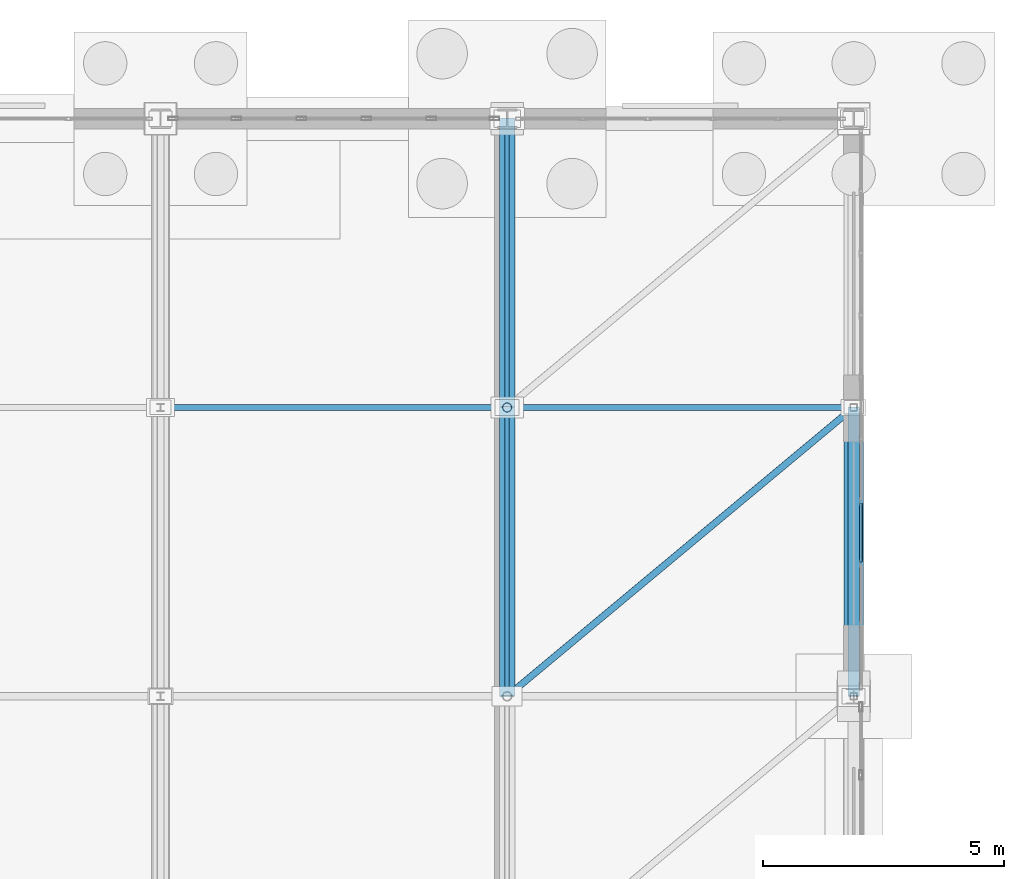
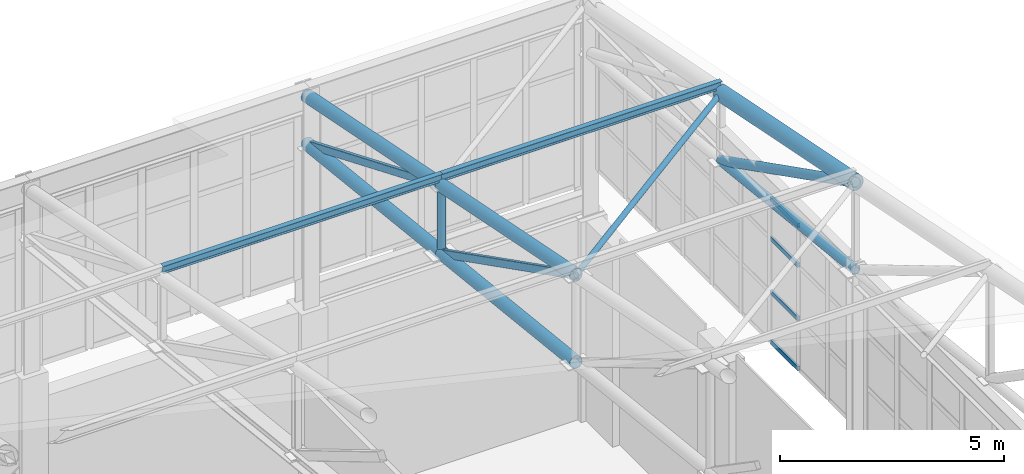
# One storey, part 227 of 293: 17 members, 1 element without a shape of its own.
"""IFC4 building model written with IfcOpenShell, lengths in metres."""

from ifc_helpers import new_model, si_unit, direction, frame, origin, origin_2d, place, context, subcontext, project, spatial, hollow_rectangle, hollow_circle, i_section, extrude, material, layer, layer_set, material_profile, profile_set, type_object, element, aggregate, save


model = new_model("IFC4")

# Units and contexts
model_context = context("Model", 3, precision=1e-05, world=origin(), true_north=direction((0.0, 1.0)))
body_context = subcontext(model_context, "Body", "Model", "MODEL_VIEW")
ifc_project = project(units=[si_unit("LENGTHUNIT", "METRE"), si_unit("AREAUNIT", "SQUARE_METRE"), si_unit("VOLUMEUNIT", "CUBIC_METRE"), si_unit("PLANEANGLEUNIT", "RADIAN"), si_unit("MASSUNIT", "GRAM", prefix="KILO")], contexts=[model_context])

# Site, building, storey
site_placement = place(None, origin())
site = spatial("IfcSite", under=ifc_project, at=site_placement, CompositionType="ELEMENT")
building_placement = place(site_placement, origin())
building = spatial("IfcBuilding", under=site, at=building_placement, Name="Kemerveld Promenade Tramway Depot", CompositionType="ELEMENT")
storey_placement = place(building_placement, origin())
storey = spatial("IfcBuildingStorey", under=building, at=storey_placement, Name="L00", CompositionType="ELEMENT", Elevation=0.0)

# Curtain wall, members
ifc_material_1 = material(Name="Bronze anodised aluminium and solar glass", Category="aluminium")
ifc_layer = layer(ifc_material_1, 0.159912109375)
ifc_layer_set = layer_set([ifc_layer], Name="CW-SYS-01")
curtain_wall_type = type_object("IfcCurtainWallType", Name="CW-SYS-01", PredefinedType="USERDEFINED", material=ifc_layer_set)
curtain_wall_placement = place(storey_placement, origin())
curtain_wall = element("IfcCurtainWall", 1, at=curtain_wall_placement, inside=storey, type_object=curtain_wall_type, Name="CW-V1-E-05", ObjectType="GLAZED_CURTAIN_WALL", PredefinedType="USERDEFINED")
ifc_material_2 = material(Name="Bronze anodised aluminium", Category="aluminium")
ifc_material_profile_1 = material_profile(ifc_material_2, hollow_rectangle(XDim=0.06005859375, YDim=0.1201171875, WallThickness=0.00390625, InnerFilletRadius=0.001953125, OuterFilletRadius=0.00390625, at=origin_2d()), Name="CW-TRN-120x60")
ifc_profile_set_1 = profile_set([ifc_material_profile_1], Name="Bronze anodised aluminium")
member_type_1 = type_object("IfcMemberType", Name="CW-TRN-A", PredefinedType="USERDEFINED", material=ifc_profile_set_1)
member_1_placement = place(storey_placement, frame((187.35009765625, 136.015380859375, 6.679931640625), z_axis=(0.0, -1.0, 0.0), x_axis=(1.0, 0.0, 0.0)))
member_1 = element("IfcMember", 2, at=member_1_placement, type_object=member_type_1, Name="CW01 transom 7.1", ObjectType="TRANSOM", PredefinedType="USERDEFINED", context=body_context, shape_type="SweptSolid", body=[
    extrude(hollow_rectangle(XDim=0.06005859375, YDim=0.1201171875, WallThickness=0.00390625, InnerFilletRadius=0.001953125, OuterFilletRadius=0.00390625, at=origin_2d()), origin(), (0.0, 0.0, 1.0), 1.22314453125),
])
member_2_placement = place(storey_placement, frame((187.35009765625, 136.015380859375, 8.032958984375), z_axis=(0.0, -1.0, 0.0), x_axis=(1.0, 0.0, 0.0)))
member_2 = element("IfcMember", 3, at=member_2_placement, type_object=member_type_1, Name="CW01 transom 7.2", ObjectType="TRANSOM", PredefinedType="USERDEFINED", context=body_context, shape_type="SweptSolid", body=[
    extrude(hollow_rectangle(XDim=0.06005859375, YDim=0.1201171875, WallThickness=0.00390625, InnerFilletRadius=0.001953125, OuterFilletRadius=0.00390625, at=origin_2d()), origin(), (0.0, 0.0, 1.0), 1.22314453125),
])
member_3_placement = place(storey_placement, frame((187.35009765625, 136.015380859375, 9.493896484375), z_axis=(0.0, -1.0, 0.0), x_axis=(1.0, 0.0, 0.0)))
member_3 = element("IfcMember", 4, at=member_3_placement, type_object=member_type_1, Name="CW01 transom 7.3", ObjectType="TRANSOM", PredefinedType="USERDEFINED", context=body_context, shape_type="SweptSolid", body=[
    extrude(hollow_rectangle(XDim=0.06005859375, YDim=0.1201171875, WallThickness=0.00390625, InnerFilletRadius=0.001953125, OuterFilletRadius=0.00390625, at=origin_2d()), origin(), (0.0, 0.0, 1.0), 1.22314453125),
])
member_4_placement = place(storey_placement, frame((187.35009765625, 136.015380859375, 10.570068359375), z_axis=(0.0, -1.0, 0.0), x_axis=(1.0, 0.0, 0.0)))
member_4 = element("IfcMember", 5, at=member_4_placement, type_object=member_type_1, Name="CW01 transom 7.4", ObjectType="TRANSOM", PredefinedType="USERDEFINED", context=body_context, shape_type="SweptSolid", body=[
    extrude(hollow_rectangle(XDim=0.06005859375, YDim=0.1201171875, WallThickness=0.00390625, InnerFilletRadius=0.001953125, OuterFilletRadius=0.00390625, at=origin_2d()), origin(), (0.0, 0.0, 1.0), 1.22314453125),
])
aggregate(curtain_wall, [member_1, member_2, member_3, member_4])

# Members
ifc_material_3 = material(Name="Steel S355", Category="steel")
ifc_material_profile_2 = material_profile(ifc_material_3, hollow_rectangle(XDim=0.10009765625, YDim=0.199951171875, WallThickness=0.008056640625, InnerFilletRadius=0.00390625, OuterFilletRadius=0.011962890625, at=origin_2d()), Name="200x100x8.0 RHS")
ifc_profile_set_2 = profile_set([ifc_material_profile_2], Name="Steel S355")
member_type_2 = type_object("IfcMemberType", Name="MB-M03", PredefinedType="BRACE", material=ifc_profile_set_2)
member_5_placement = place(storey_placement, frame((180.0, 138.0, 10.4599609375), z_axis=(0.0, -0.892033434612, 0.451969414379), x_axis=(1.0, 0.0, 0.0)))
element("IfcMember", 6, at=member_5_placement, inside=storey, type_object=member_type_2, Name="TR-26-DG-09", PredefinedType="BRACE", context=body_context, shape_type="SweptSolid", body=[
    extrude(hollow_rectangle(XDim=0.10009765625, YDim=0.199951171875, WallThickness=0.008056640625, InnerFilletRadius=0.00390625, OuterFilletRadius=0.011962890625, at=origin_2d()), origin(), (0.0, 0.0, 1.0), 6.726318359375),
])
member_6_placement = place(storey_placement, frame((180.0, 144.0, 9.800048828125), z_axis=(0.0, -0.923076923077, 0.384615384615), x_axis=(1.0, 0.0, 0.0)))
element("IfcMember", 7, at=member_6_placement, inside=storey, type_object=member_type_2, Name="TR-26-DG-10", PredefinedType="BRACE", context=body_context, shape_type="SweptSolid", body=[
    extrude(hollow_rectangle(XDim=0.10009765625, YDim=0.199951171875, WallThickness=0.008056640625, InnerFilletRadius=0.00390625, OuterFilletRadius=0.011962890625, at=origin_2d()), origin(), (0.0, 0.0, 1.0), 6.5),
])
ifc_material_profile_3 = material_profile(ifc_material_3, i_section(OverallWidth=0.13330078125, OverallDepth=0.203125, WebThickness=0.005615234375, FlangeThickness=0.0078125, FilletRadius=0.007568359375, at=origin_2d()), Name="203x133x25 UB")
ifc_profile_set_3 = profile_set([ifc_material_profile_3], Name="Steel S355")
member_type_3 = type_object("IfcMemberType", Name="MB-PR4", PredefinedType="PURLIN", material=ifc_profile_set_3)
for number, where, z_axis, x_axis, name in (
    (8, (172.800048828125, 138.0, 12.544921875), (1.0, 0.0, 0.0), (0.0, 1.0, 0.0), "PUR-V1-09-25"),
    (9, (180.0, 138.0, 12.544921875), (1.0, 0.0, 0.0), (0.0, 1.0, 0.0), "PUR-V1-09-26"),
):
    element("IfcMember", number, at=place(storey_placement, frame(where, z_axis=z_axis, x_axis=x_axis)), inside=storey, type_object=member_type_3, Name=name, PredefinedType="PURLIN", context=body_context, shape_type="SweptSolid", body=[
        extrude(i_section(OverallWidth=0.13330078125, OverallDepth=0.203125, WebThickness=0.005615234375, FlangeThickness=0.0078125, FilletRadius=0.007568359375, at=origin_2d()), origin(), (0.0, 0.0, 1.0), 7.199951171875),
    ])
ifc_material_profile_4 = material_profile(ifc_material_3, hollow_circle(Radius=0.122314453125, WallThickness=0.010009765625, at=origin_2d()), Name="244.5x10.0 CHS")
ifc_profile_set_4 = profile_set([ifc_material_profile_4], Name="Steel S355")
member_type_4 = type_object("IfcMemberType", Name="MB-TB1", PredefinedType="BRACE", material=ifc_profile_set_4)
member_7_placement = place(storey_placement, frame((187.199951171875, 138.0, 10.4599609375), z_axis=(0.0, -0.892033434612, 0.451969414379), x_axis=(1.0, 0.0, 0.0)))
element("IfcMember", 10, at=member_7_placement, inside=storey, type_object=member_type_4, Name="TR-27-DG-09", PredefinedType="BRACE", context=body_context, shape_type="SweptSolid", body=[
    extrude(hollow_circle(Radius=0.122314453125, WallThickness=0.010009765625, at=origin_2d()), origin(), (0.0, 0.0, 1.0), 6.726318359375),
])
ifc_material_profile_5 = material_profile(ifc_material_3, hollow_circle(Radius=0.06982421875, WallThickness=0.00634765625, at=origin_2d()), Name="139.7x6.3 CHS")
ifc_profile_set_5 = profile_set([ifc_material_profile_5], Name="Steel S355")
member_type_5 = type_object("IfcMemberType", Name="MB-TB3", PredefinedType="BRACE", material=ifc_profile_set_5)
member_8_placement = place(storey_placement, frame((180.0, 132.0, 13.5), z_axis=(0.761999094998, 0.635003552225, -0.126995542773), x_axis=(-0.640186961885, 0.768219144407, 0.0)))
element("IfcMember", 11, at=member_8_placement, inside=storey, type_object=member_type_5, Name="RBR-V1-08-26", PredefinedType="BRACE", context=body_context, shape_type="SweptSolid", body=[
    extrude(hollow_circle(Radius=0.06982421875, WallThickness=0.00634765625, at=origin_2d()), origin(), (0.0, 0.0, 1.0), 9.44873046875),
])
ifc_material_profile_6 = material_profile(ifc_material_3, hollow_circle(Radius=0.203125, WallThickness=0.01611328125, at=origin_2d()), Name="406.4x16.0 CHS")
ifc_profile_set_6 = profile_set([ifc_material_profile_6], Name="Steel S355")
member_type_6 = type_object("IfcMemberType", Name="MB-TC1", PredefinedType="CHORD", material=ifc_profile_set_6)
member_9_placement = place(storey_placement, frame((187.199951171875, 132.0, 13.5), z_axis=(0.0, 0.980582210276, -0.196108462057), x_axis=(-1.0, 0.0, 0.0)))
element("IfcMember", 12, at=member_9_placement, inside=storey, type_object=member_type_6, Name="TR-27-TC-09", PredefinedType="CHORD", context=body_context, shape_type="SweptSolid", body=[
    extrude(hollow_circle(Radius=0.203125, WallThickness=0.01611328125, at=origin_2d()), origin(), (0.0, 0.0, 1.0), 6.118896484375),
])
ifc_material_profile_7 = material_profile(ifc_material_3, hollow_circle(Radius=0.161865234375, WallThickness=0.012451171875, at=origin_2d()), Name="323.9x12.5 CHS")
ifc_profile_set_7 = profile_set([ifc_material_profile_7], Name="Steel S355")
member_type_7 = type_object("IfcMemberType", Name="MB-TC2", PredefinedType="CHORD", material=ifc_profile_set_7)
member_10_placement = place(storey_placement, frame((180.0, 132.0, 13.5), z_axis=(0.0, 0.980582210276, -0.196108462057), x_axis=(-1.0, 0.0, 0.0)))
element("IfcMember", 13, at=member_10_placement, inside=storey, type_object=member_type_7, Name="TR-26-TC-09", PredefinedType="CHORD", context=body_context, shape_type="SweptSolid", body=[
    extrude(hollow_circle(Radius=0.161865234375, WallThickness=0.012451171875, at=origin_2d()), origin(), (0.0, 0.0, 1.0), 6.118896484375),
])
member_11_placement = place(storey_placement, frame((180.0, 132.0, 11.1201171875), z_axis=(0.0, 0.994001542248, -0.109366055104), x_axis=(-1.0, 0.0, 0.0)))
element("IfcMember", 14, at=member_11_placement, inside=storey, type_object=member_type_7, Name="TR-26-BC-09", PredefinedType="CHORD", context=body_context, shape_type="SweptSolid", body=[
    extrude(hollow_circle(Radius=0.161865234375, WallThickness=0.012451171875, at=origin_2d()), origin(), (0.0, 0.0, 1.0), 6.0361328125),
])
member_12_placement = place(storey_placement, frame((180.0, 138.0, 12.300048828125), z_axis=(0.0, 0.980582210276, -0.196108462057), x_axis=(-1.0, 0.0, 0.0)))
element("IfcMember", 15, at=member_12_placement, inside=storey, type_object=member_type_7, Name="TR-26-TC-10", PredefinedType="CHORD", context=body_context, shape_type="SweptSolid", body=[
    extrude(hollow_circle(Radius=0.161865234375, WallThickness=0.012451171875, at=origin_2d()), origin(), (0.0, 0.0, 1.0), 6.118896484375),
])
member_13_placement = place(storey_placement, frame((180.0, 138.0, 10.4599609375), z_axis=(0.0, 0.994005938353, -0.109326092585), x_axis=(-1.0, 0.0, 0.0)))
element("IfcMember", 16, at=member_13_placement, inside=storey, type_object=member_type_7, Name="TR-26-BC-10", PredefinedType="CHORD", context=body_context, shape_type="SweptSolid", body=[
    extrude(hollow_circle(Radius=0.161865234375, WallThickness=0.012451171875, at=origin_2d()), origin(), (0.0, 0.0, 1.0), 6.0361328125),
])
ifc_material_profile_8 = material_profile(ifc_material_3, hollow_circle(Radius=0.122314453125, WallThickness=0.010009765625, at=origin_2d()), Name="244.5x10.0 CHS")
ifc_profile_set_8 = profile_set([ifc_material_profile_8], Name="Steel S355")
member_type_8 = type_object("IfcMemberType", Name="MB-TC3", PredefinedType="CHORD", material=ifc_profile_set_8)
member_14_placement = place(storey_placement, frame((187.199951171875, 132.0, 11.1201171875), z_axis=(0.0, 0.994001542248, -0.109366055104), x_axis=(-1.0, 0.0, 0.0)))
element("IfcMember", 17, at=member_14_placement, inside=storey, type_object=member_type_8, Name="TR-27-BC-09", PredefinedType="CHORD", context=body_context, shape_type="SweptSolid", body=[
    extrude(hollow_circle(Radius=0.122314453125, WallThickness=0.010009765625, at=origin_2d()), origin(), (0.0, 0.0, 1.0), 6.0361328125),
])
ifc_material_profile_9 = material_profile(ifc_material_3, hollow_circle(Radius=0.096923828125, WallThickness=0.008056640625, at=origin_2d()), Name="193.7x8.0 CHS")
ifc_profile_set_9 = profile_set([ifc_material_profile_9], Name="Steel S355")
member_type_9 = type_object("IfcMemberType", Name="MB-TP1", PredefinedType="POST", material=ifc_profile_set_9)
member_15_placement = place(storey_placement, frame((180.0, 138.0, 10.4599609375), z_axis=(0.0, 0.0, 1.0), x_axis=(1.0, 0.0, 0.0)))
element("IfcMember", 18, at=member_15_placement, inside=storey, type_object=member_type_9, Name="TR-26-VT-09", PredefinedType="POST", context=body_context, shape_type="SweptSolid", body=[
    extrude(hollow_circle(Radius=0.096923828125, WallThickness=0.008056640625, at=origin_2d()), origin(), (0.0, 0.0, 1.0), 1.840087890625),
])

save(model, "model.ifc")
